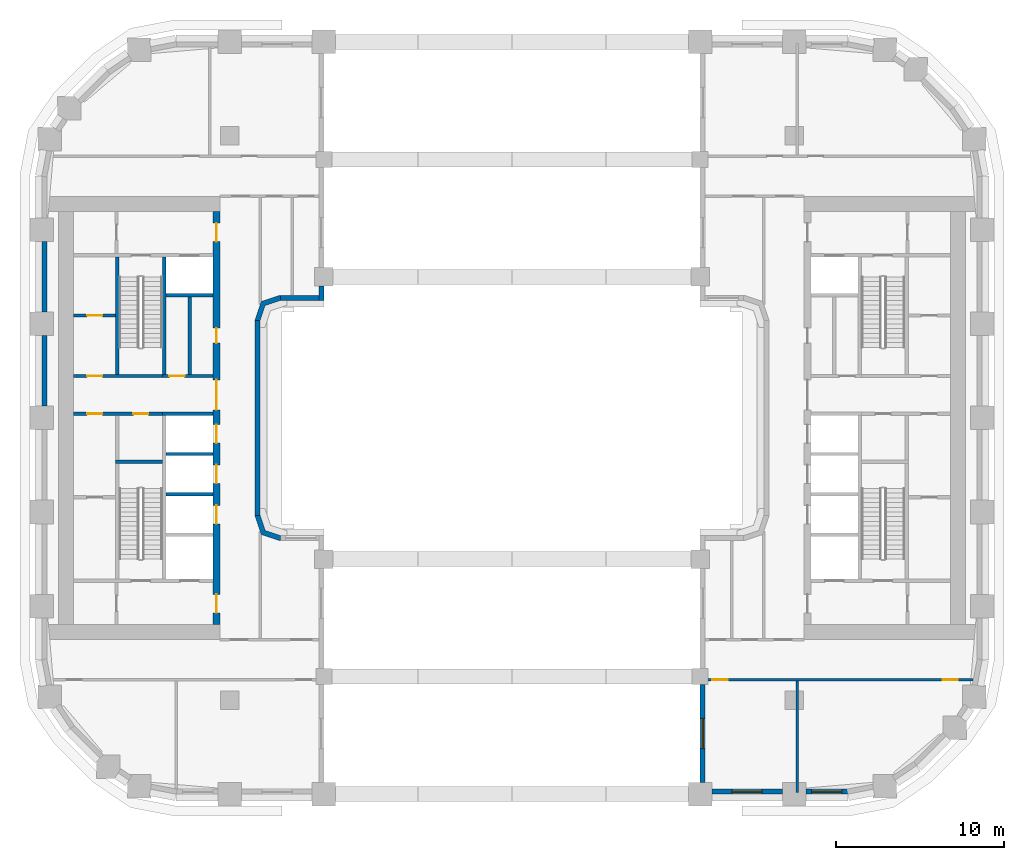
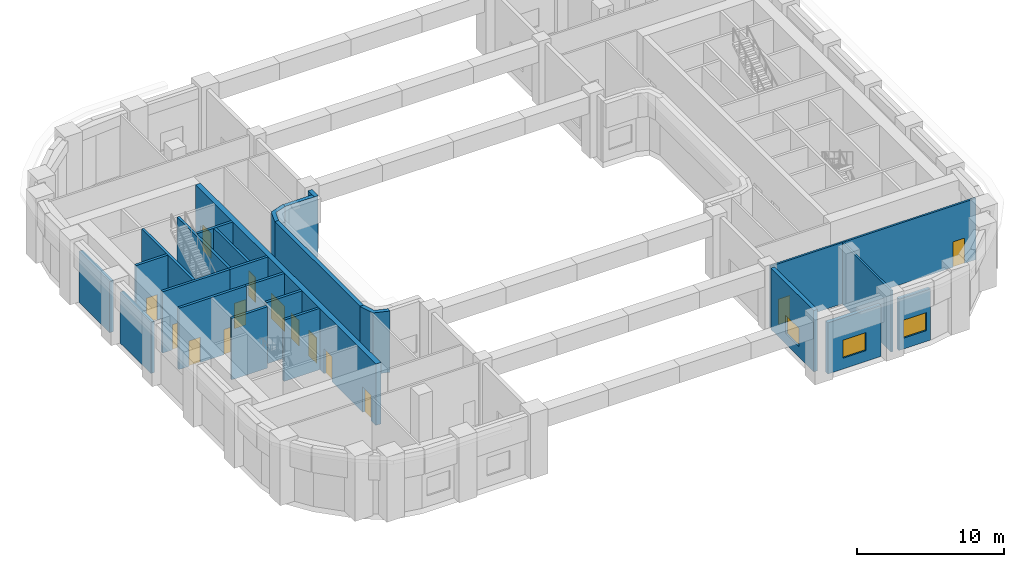
# One storey, part 3 of 14: 25 walls, 14 doors, 3 windows, 17 openings.
"""IFC4 building model written with IfcOpenShell, lengths in metres."""

import ifcopenshell
import ifcopenshell.guid

model = None  # the IFC model being written
_history = None  # IfcOwnerHistory: only IFC2X3 demands one
_inside = {}  # id of a spatial element -> (the spatial element, [elements in it])
_under = {}  # id of a project, library or spatial element -> (it, [spatial elements below it])
_declared = {}  # id of a project -> (the project, [libraries it declares])
_typed = {}  # id of a type object -> (the type object, [elements of that type])
_made_of = {}  # id of a material, layer set ... -> (it, [elements and type objects made of it])


def new_model(schema):
    """Start an empty IFC model of exactly this schema.

    Asked for "IFC4X3", IfcOpenShell would pick the latest addendum, in which some entities
    have other attributes; the version numbers below select the first issue.
    IFC2X3 requires an IfcOwnerHistory on every rooted entity: one is made here for all.
    """
    global model, _history
    if schema == "IFC4X3":
        model = ifcopenshell.file(schema_version=(4, 3, 0, 0))
    else:
        model = ifcopenshell.file(schema=schema)
    _inside.clear()
    _under.clear()
    _declared.clear()
    _typed.clear()
    _made_of.clear()
    _history = None
    if model.schema == "IFC2X3":
        org = make("IfcOrganization", Name="unknown")
        user = make(
            "IfcPersonAndOrganization",
            ThePerson=make("IfcPerson", FamilyName="unknown"),
            TheOrganization=org,
        )
        app = make(
            "IfcApplication",
            ApplicationDeveloper=org,
            Version="unknown",
            ApplicationFullName="unknown",
            ApplicationIdentifier="unknown",
        )
        _history = make(
            "IfcOwnerHistory",
            OwningUser=user,
            OwningApplication=app,
            ChangeAction="ADDED",
            CreationDate=0,
        )
    return model


def make(cls, **values):
    """One entity of the class cls with the attributes given. An attribute that is None is left unset."""
    return model.create_entity(
        cls, **{name: value for name, value in values.items() if value is not None}
    )


def rooted(cls, **values):
    """An entity with a GlobalId (a new one), such as an element, a storey or a relation."""
    return make(cls, GlobalId=ifcopenshell.guid.new(), OwnerHistory=_history, **values)


def si_unit(unit_type, name, prefix=None):
    """IfcSIUnit, for example si_unit("LENGTHUNIT", "METRE", prefix="MILLI")."""
    return make("IfcSIUnit", UnitType=unit_type, Prefix=prefix, Name=name)


def assignment(units):
    """IfcUnitAssignment: the units of a project."""
    return None if units is None else make("IfcUnitAssignment", Units=units)


def point(xyz):
    """IfcCartesianPoint."""
    return None if xyz is None else make("IfcCartesianPoint", Coordinates=xyz)


def direction(xyz):
    """IfcDirection."""
    return None if xyz is None else make("IfcDirection", DirectionRatios=xyz)


def frame(location, z_axis=None, x_axis=None):
    """IfcAxis2Placement3D, a coordinate frame: its origin and axes. An axis left out is left unset."""
    return make(
        "IfcAxis2Placement3D",
        Location=point(location),
        Axis=direction(z_axis),
        RefDirection=direction(x_axis),
    )


def frame_2d(location, x_axis=None):
    """IfcAxis2Placement2D, a coordinate frame in the plane: its origin and x axis."""
    return make(
        "IfcAxis2Placement2D", Location=point(location), RefDirection=direction(x_axis)
    )


def origin():
    """The frame at (0, 0, 0) with its axes left unset."""
    return frame((0.0, 0.0, 0.0))


def place(relative_to, where):
    """IfcLocalPlacement: puts the frame where relative to a parent placement (None: the world)."""
    return make(
        "IfcLocalPlacement", PlacementRelTo=relative_to, RelativePlacement=where
    )


def context(
    kind, dimensions, precision=None, world=None, true_north=None, identifier=None
):
    """IfcGeometricRepresentationContext, for example the 3D "Model" context."""
    return make(
        "IfcGeometricRepresentationContext",
        ContextIdentifier=identifier,
        ContextType=kind,
        CoordinateSpaceDimension=dimensions,
        Precision=precision,
        WorldCoordinateSystem=world,
        TrueNorth=true_north,
    )


def subcontext(parent, identifier, kind, view, scale=None):
    """IfcGeometricRepresentationSubContext, for example "Body" below "Model"."""
    return make(
        "IfcGeometricRepresentationSubContext",
        ContextIdentifier=identifier,
        ContextType=kind,
        ParentContext=parent,
        TargetScale=scale,
        TargetView=view,
    )


def project(units=None, contexts=None):
    """IfcProject with its units and contexts."""
    return rooted(
        "IfcProject",
        Name="project",
        RepresentationContexts=contexts,
        UnitsInContext=assignment(units),
    )


def spatial(cls, under=None, at=None, **own):
    """A site, building, storey or space (cls), placed at a placement, below another one or the project."""
    s = rooted(cls, ObjectPlacement=at, **own)
    if under is not None:
        _under.setdefault(under.id(), (under, []))[1].append(s)
    return s


def polyline(points):
    """IfcPolyline through the points."""
    return make("IfcPolyline", Points=[point(p) for p in points])


def profile(cls, at=None, kind="AREA", **sizes):
    """A parametric profile (cls). Its sizes go by their IFC names, for example OverallWidth=200.0."""
    return make(cls, ProfileType=kind, Position=at, **sizes)


def rectangle(**sizes):
    """IfcRectangleProfileDef."""
    return profile("IfcRectangleProfileDef", **sizes)


def outline(outer, holes=None, kind="AREA"):
    """IfcArbitraryClosedProfileDef: a profile drawn as a closed curve; with holes, ...WithVoids."""
    if holes is None:
        return make("IfcArbitraryClosedProfileDef", ProfileType=kind, OuterCurve=outer)
    return make(
        "IfcArbitraryProfileDefWithVoids",
        ProfileType=kind,
        OuterCurve=outer,
        InnerCurves=holes,
    )


def extrude(swept, where, along, depth):
    """IfcExtrudedAreaSolid: the profile swept, set in the frame where, extruded along a direction by depth."""
    return make(
        "IfcExtrudedAreaSolid",
        SweptArea=swept,
        Position=where,
        ExtrudedDirection=direction(along),
        Depth=depth,
    )


def shape(context_of_items, identifier, shape_type, items):
    """IfcShapeRepresentation: the items that make up one representation, for example the "Body"."""
    return make(
        "IfcShapeRepresentation",
        ContextOfItems=context_of_items,
        RepresentationIdentifier=identifier,
        RepresentationType=shape_type,
        Items=items,
    )


def material(Name=None, Category=None):
    """IfcMaterial."""
    return make("IfcMaterial", Name=Name, Category=Category)


def layer(
    of_material, thickness, ventilated=None, Name=None, Category=None, Priority=None
):
    """IfcMaterialLayer: one layer of a wall or slab, of a material (None: an air gap)."""
    return make(
        "IfcMaterialLayer",
        Material=of_material,
        LayerThickness=thickness,
        IsVentilated=ventilated,
        Name=Name,
        Category=Category,
        Priority=Priority,
    )


def layer_set(layers, Name=None):
    """IfcMaterialLayerSet."""
    return make("IfcMaterialLayerSet", MaterialLayers=layers, LayerSetName=Name)


def made_of(thing, what):
    """Note that an element or type object is made of a material, layer set ...; save() writes the relation."""
    if what is not None:
        _made_of.setdefault(what.id(), (what, []))[1].append(thing)
    return thing


def type_object(cls, material=None, **own):
    """A type object (cls), such as IfcWallType, which elements share."""
    return made_of(rooted(cls, **own), material)


def element(
    cls,
    number,
    at=None,
    inside=None,
    cuts=None,
    type_object=None,
    material=None,
    context=None,
    identifier="Body",
    shape_type=None,
    held_by="IfcProductDefinitionShape",
    body=None,
    shapes=None,
    **own,
):
    """One element of the class cls, such as IfcWall. Its Tag is "e" and its number.

    at: its placement. inside: the storey or other place that contains it. cuts: it is an
    opening in that element (IfcRelVoidsElement). A single representation is given by context,
    identifier, shape_type and body (its items); several are given by shapes. held_by: the class
    of the entity that holds the representations. save() writes the other relations.
    """
    e = rooted(cls, Tag="e%d" % number, ObjectPlacement=at, **own)
    if body is not None:
        shapes = [shape(context, identifier, shape_type, body)]
    if shapes is not None:
        e.Representation = make(held_by, Representations=shapes)
    if inside is not None:
        _inside.setdefault(inside.id(), (inside, []))[1].append(e)
    if cuts is not None:
        rooted(
            "IfcRelVoidsElement", RelatingBuildingElement=cuts, RelatedOpeningElement=e
        )
    if type_object is not None:
        _typed.setdefault(type_object.id(), (type_object, []))[1].append(e)
    return made_of(e, material)


def fill(opening, filler):
    """IfcRelFillsElement: the door or window that sits in an opening."""
    return rooted(
        "IfcRelFillsElement",
        RelatingOpeningElement=opening,
        RelatedBuildingElement=filler,
    )


def aggregate(whole, parts):
    """IfcRelAggregates: a whole, such as a stair, and the parts it consists of."""
    return rooted("IfcRelAggregates", RelatingObject=whole, RelatedObjects=parts)


def save(model, path):
    """Write the relations noted so far, then the file.

    IfcRelAggregates (storeys below a building ...), IfcRelContainedInSpatialStructure (elements
    in a storey), IfcRelDefinesByType, IfcRelAssociatesMaterial and IfcRelDeclares: one each for
    every whole, place, type object, material and project.
    """
    for whole, parts in _under.values():
        aggregate(whole, parts)
    for where, things in _inside.values():
        rooted(
            "IfcRelContainedInSpatialStructure",
            RelatedElements=things,
            RelatingStructure=where,
        )
    for kind, things in _typed.values():
        rooted("IfcRelDefinesByType", RelatedObjects=things, RelatingType=kind)
    for what, things in _made_of.values():
        rooted("IfcRelAssociatesMaterial", RelatedObjects=things, RelatingMaterial=what)
    for by, libraries in _declared.values():
        rooted("IfcRelDeclares", RelatingContext=by, RelatedDefinitions=libraries)
    model.write(path)


model = new_model("IFC4")

# Units and contexts
model_context = context("Model", 3, precision=1e-05, world=origin(), true_north=direction((0.0, 1.0)))
body_context = subcontext(model_context, "Body", "Model", "MODEL_VIEW")
ifc_project = project(units=[si_unit("LENGTHUNIT", "METRE"), si_unit("AREAUNIT", "SQUARE_METRE"), si_unit("VOLUMEUNIT", "CUBIC_METRE"), si_unit("PLANEANGLEUNIT", "RADIAN"), si_unit("MASSUNIT", "GRAM", prefix="KILO")], contexts=[model_context])

# Site, building, storey
site_placement = place(None, origin())
site = spatial("IfcSite", under=ifc_project, at=site_placement, CompositionType="ELEMENT")
building_placement = place(site_placement, origin())
building = spatial("IfcBuilding", under=site, at=building_placement, Name="Kiln Ring Residences", CompositionType="ELEMENT")
storey_placement = place(building_placement, frame((0.0, 0.0, 77.89990234375)))
storey = spatial("IfcBuildingStorey", under=building, at=storey_placement, Name="L19", CompositionType="ELEMENT", Elevation=77.89990234375)

# Wall, openings, doors
ifc_material_1 = material(Name="Gypsum board on steel studs", Category="steel")
ifc_layer_1 = layer(ifc_material_1, 0.199951171875)
ifc_layer_set_1 = layer_set([ifc_layer_1], Name="CORE-PARTITION-200")
wall_type_1 = type_object("IfcWallType", Name="CORE-PARTITION-200", PredefinedType="PARTITIONING", material=ifc_layer_set_1)
wall_1_placement = place(storey_placement, frame((-20.800048828125, 0.25, 0.0), z_axis=(0.0, 0.0, 1.0), x_axis=(-1.0, 0.0, 0.0)))
wall_1 = element("IfcWall", 1, at=wall_1_placement, inside=storey, type_object=wall_type_1, Name="Core partition west L19 2", PredefinedType="PARTITIONING", context=body_context, shape_type="SweptSolid", body=[
    extrude(rectangle(XDim=5.300048828125, YDim=0.199951171875, at=frame_2d((2.64990234375, 0.0))), origin(), (0.0, 0.0, 1.0), 5.10009765625),
])
opening_1_placement = place(wall_1_placement, frame((0.85009765625, 0.0, 0.0)))
opening_1 = element("IfcOpeningElement", 2, at=opening_1_placement, cuts=wall_1, Name="Opening L19-CW15", PredefinedType="OPENING", context=body_context, shape_type="SweptSolid", body=[
    extrude(rectangle(XDim=0.89990234375, YDim=2.10009765625, at=frame_2d((0.449951171875, 1.050048828125))), frame((0.0, 0.10986328125, 0.0), z_axis=(0.0, -1.0, 0.0), x_axis=(1.0, 0.0, 0.0)), (0.0, 0.0, 1.0), 0.219970703125),
])
opening_2_placement = place(wall_1_placement, frame((3.60009765625, 0.0, 0.0)))
opening_2 = element("IfcOpeningElement", 3, at=opening_2_placement, cuts=wall_1, Name="Opening L19-CW17", PredefinedType="OPENING", context=body_context, shape_type="SweptSolid", body=[
    extrude(rectangle(XDim=0.89990234375, YDim=2.10009765625, at=frame_2d((0.449951171875, 1.050048828125))), frame((0.0, 0.10986328125, 0.0), z_axis=(0.0, -1.0, 0.0), x_axis=(1.0, 0.0, 0.0)), (0.0, 0.0, 1.0), 0.219970703125),
])
ifc_material_2 = material(Name="Steel door leaf", Category="steel")
door_type_1 = type_object("IfcDoorType", Name="CORE-DOOR-ROOM", OperationType="SINGLE_SWING_LEFT", PredefinedType="DOOR", material=ifc_material_2)
door_1_placement = place(opening_1_placement, origin())
door_1 = element("IfcDoor", 4, at=door_1_placement, inside=storey, type_object=door_type_1, Name="Comms room L19-CW15", OperationType="SINGLE_SWING_LEFT", OverallHeight=2.10009765625, OverallWidth=0.89990234375, PredefinedType="DOOR", context=body_context, shape_type="SweptSolid", body=[
    extrude(rectangle(XDim=0.89990234375, YDim=2.10009765625, at=frame_2d((0.449951171875, 1.050048828125))), frame((0.0, 0.02490234375, 0.0), z_axis=(0.0, -1.0, 0.0), x_axis=(1.0, 0.0, 0.0)), (0.0, 0.0, 1.0), 0.050048828125),
])
fill(opening_1, door_1)
door_2_placement = place(opening_2_placement, origin())
door_2 = element("IfcDoor", 5, at=door_2_placement, inside=storey, type_object=door_type_1, Name="Meter room L19-CW17", OperationType="SINGLE_SWING_LEFT", OverallHeight=2.10009765625, OverallWidth=0.89990234375, PredefinedType="DOOR", context=body_context, shape_type="SweptSolid", body=[
    extrude(rectangle(XDim=0.89990234375, YDim=2.10009765625, at=frame_2d((0.449951171875, 1.050048828125))), frame((0.0, 0.02490234375, 0.0), z_axis=(0.0, -1.0, 0.0), x_axis=(1.0, 0.0, 0.0)), (0.0, 0.0, 1.0), 0.050048828125),
])
fill(opening_2, door_2)

# Wall
wall_2_placement = place(storey_placement, frame((-19.199951171875, 2.60009765625, 0.0), z_axis=(0.0, 0.0, 1.0), x_axis=(0.0, 1.0, 0.0)))
element("IfcWall", 6, at=wall_2_placement, inside=storey, type_object=wall_type_1, Name="Core partition west L19 3", PredefinedType="PARTITIONING", context=body_context, shape_type="SweptSolid", body=[
    extrude(rectangle(XDim=4.599853515625, YDim=0.199951171875, at=frame_2d((2.2998046875, 0.0))), origin(), (0.0, 0.0, 1.0), 5.10009765625),
])

# Wall, opening, door
wall_3_placement = place(storey_placement, frame((-23.60009765625, 6.10009765625, 0.0), z_axis=(0.0, 0.0, 1.0), x_axis=(-1.0, 0.0, 0.0)))
wall_3 = element("IfcWall", 7, at=wall_3_placement, inside=storey, type_object=wall_type_1, Name="Core partition west L19 7", PredefinedType="PARTITIONING", context=body_context, shape_type="SweptSolid", body=[
    extrude(rectangle(XDim=2.5, YDim=0.199951171875, at=frame_2d((1.25, 0.0))), origin(), (0.0, 0.0, 1.0), 5.10009765625),
])
opening_3_placement = place(wall_3_placement, frame((0.800048828125, 0.0, 0.0)))
opening_3 = element("IfcOpeningElement", 8, at=opening_3_placement, cuts=wall_3, Name="Opening L19-CW18", PredefinedType="OPENING", context=body_context, shape_type="SweptSolid", body=[
    extrude(rectangle(XDim=0.89990234375, YDim=2.10009765625, at=frame_2d((0.449951171875, 1.050048828125))), frame((0.0, 0.10986328125, 0.0), z_axis=(0.0, -1.0, 0.0), x_axis=(1.0, 0.0, 0.0)), (0.0, 0.0, 1.0), 0.219970703125),
])
door_3_placement = place(opening_3_placement, origin())
door_3 = element("IfcDoor", 9, at=door_3_placement, inside=storey, type_object=door_type_1, Name="Comms room L19-CW18", OperationType="SINGLE_SWING_LEFT", OverallHeight=2.10009765625, OverallWidth=0.89990234375, PredefinedType="DOOR", context=body_context, shape_type="SweptSolid", body=[
    extrude(rectangle(XDim=0.89990234375, YDim=2.10009765625, at=frame_2d((0.449951171875, 1.050048828125))), frame((0.0, 0.02490234375, 0.0), z_axis=(0.0, -1.0, 0.0), x_axis=(1.0, 0.0, 0.0)), (0.0, 0.0, 1.0), 0.050048828125),
])
fill(opening_3, door_3)

# Walls
ifc_material_3 = material(Name="Gypsum shaft wall system")
ifc_layer_2 = layer(ifc_material_3, 0.199951171875)
ifc_layer_set_2 = layer_set([ifc_layer_2], Name="CORE-SHAFT-WALL-200")
wall_type_2 = type_object("IfcWallType", Name="CORE-SHAFT-WALL-200", PredefinedType="PARTITIONING", material=ifc_layer_set_2)
for number, where, z_axis, x_axis, name in (
    (10, (-17.800048828125, -4.550048828125, 0.0), (0.0, 0.0, 1.0), (-1.0, 0.0, 0.0), "Core partition west L19 9"),
    (11, (-17.800048828125, -2.14990234375, 0.0), (0.0, 0.0, 1.0), (-1.0, 0.0, 0.0), "Core partition west L19 10"),
):
    element("IfcWall", number, at=place(storey_placement, frame(where, z_axis=z_axis, x_axis=x_axis)), inside=storey, type_object=wall_type_2, Name=name, PredefinedType="PARTITIONING", context=body_context, shape_type="SweptSolid", body=[
        extrude(rectangle(XDim=2.800048828125, YDim=0.199951171875, at=frame_2d((1.39990234375, 0.0))), origin(), (0.0, 0.0, 1.0), 5.10009765625),
    ])
wall_4_placement = place(storey_placement, frame((-17.800048828125, 0.25, 0.0), z_axis=(0.0, 0.0, 1.0), x_axis=(-1.0, 0.0, 0.0)))
element("IfcWall", 12, at=wall_4_placement, inside=storey, type_object=wall_type_2, Name="Core partition west L19 11", PredefinedType="PARTITIONING", context=body_context, shape_type="SweptSolid", body=[
    extrude(rectangle(XDim=3.0, YDim=0.199951171875, at=frame_2d((1.5, 0.0))), origin(), (0.0, 0.0, 1.0), 5.10009765625),
])

# Wall, opening, door
wall_5_placement = place(storey_placement, frame((-17.800048828125, 2.5, 0.0), z_axis=(0.0, 0.0, 1.0), x_axis=(-1.0, 0.0, 0.0)))
wall_5 = element("IfcWall", 13, at=wall_5_placement, inside=storey, type_object=wall_type_2, Name="Core partition west L19 12", PredefinedType="PARTITIONING", context=body_context, shape_type="SweptSolid", body=[
    extrude(rectangle(XDim=3.0, YDim=0.199951171875, at=frame_2d((1.5, 0.0))), origin(), (0.0, 0.0, 1.0), 5.10009765625),
])
opening_4_placement = place(wall_5_placement, frame((1.699951171875, 0.0, 0.0)))
opening_4 = element("IfcOpeningElement", 14, at=opening_4_placement, cuts=wall_5, Name="Opening L19-CW06", PredefinedType="OPENING", context=body_context, shape_type="SweptSolid", body=[
    extrude(rectangle(XDim=0.89990234375, YDim=2.10009765625, at=frame_2d((0.449951171875, 1.050048828125))), frame((0.0, 0.10986328125, 0.0), z_axis=(0.0, -1.0, 0.0), x_axis=(1.0, 0.0, 0.0)), (0.0, 0.0, 1.0), 0.219970703125),
])
door_4_placement = place(opening_4_placement, origin())
door_4 = element("IfcDoor", 15, at=door_4_placement, inside=storey, type_object=door_type_1, Name="Linen store L19-CW06", OperationType="SINGLE_SWING_LEFT", OverallHeight=2.10009765625, OverallWidth=0.89990234375, PredefinedType="DOOR", context=body_context, shape_type="SweptSolid", body=[
    extrude(rectangle(XDim=0.89990234375, YDim=2.10009765625, at=frame_2d((0.449951171875, 1.050048828125))), frame((0.0, 0.02490234375, 0.0), z_axis=(0.0, -1.0, 0.0), x_axis=(1.0, 0.0, 0.0)), (0.0, 0.0, 1.0), 0.050048828125),
])
fill(opening_4, door_4)

# Walls
wall_6_placement = place(storey_placement, frame((-17.800048828125, 7.300048828125, 0.0), z_axis=(0.0, 0.0, 1.0), x_axis=(-1.0, 0.0, 0.0)))
element("IfcWall", 16, at=wall_6_placement, inside=storey, type_object=wall_type_2, Name="Core partition west L19 13", PredefinedType="PARTITIONING", context=body_context, shape_type="SweptSolid", body=[
    extrude(rectangle(XDim=2.800048828125, YDim=0.199951171875, at=frame_2d((1.39990234375, 0.0))), origin(), (0.0, 0.0, 1.0), 5.10009765625),
])
ifc_material_4 = material(Name="Concrete C40/50", Category="concrete")
ifc_layer_3 = layer(ifc_material_4, 0.199951171875)
ifc_layer_set_3 = layer_set([ifc_layer_3], Name="CORE-WALL-RC200")
wall_type_3 = type_object("IfcWallType", Name="CORE-WALL-RC200", PredefinedType="SHEAR", material=ifc_layer_set_3)
wall_7_placement = place(storey_placement, frame((-20.699951171875, 2.60009765625, 0.0), z_axis=(0.0, 0.0, 1.0), x_axis=(0.0, 1.0, 0.0)))
element("IfcWall", 17, at=wall_7_placement, inside=storey, type_object=wall_type_3, Name="Core wall west L19 1", PredefinedType="SHEAR", context=body_context, shape_type="SweptSolid", body=[
    extrude(rectangle(XDim=7.0, YDim=0.199951171875, at=frame_2d((3.5, 0.0))), origin(), (0.0, 0.0, 1.0), 5.10009765625),
])

# Wall, opening, door
wall_8_placement = place(storey_placement, frame((-20.800048828125, 2.5, 0.0), z_axis=(0.0, 0.0, 1.0), x_axis=(-1.0, 0.0, 0.0)))
wall_8 = element("IfcWall", 18, at=wall_8_placement, inside=storey, type_object=wall_type_3, Name="Core wall west L19 3", PredefinedType="SHEAR", context=body_context, shape_type="SweptSolid", body=[
    extrude(rectangle(XDim=5.300048828125, YDim=0.199951171875, at=frame_2d((2.64990234375, 0.0))), origin(), (0.0, 0.0, 1.0), 5.10009765625),
])
opening_5_placement = place(wall_8_placement, frame((3.60009765625, 0.0, 0.0)))
opening_5 = element("IfcOpeningElement", 19, at=opening_5_placement, cuts=wall_8, Name="Opening L19-CW19", PredefinedType="OPENING", context=body_context, shape_type="SweptSolid", body=[
    extrude(rectangle(XDim=0.89990234375, YDim=2.10009765625, at=frame_2d((0.449951171875, 1.050048828125))), frame((0.0, 0.10986328125, 0.0), z_axis=(0.0, -1.0, 0.0), x_axis=(1.0, 0.0, 0.0)), (0.0, 0.0, 1.0), 0.219970703125),
])
door_5_placement = place(opening_5_placement, origin())
door_5 = element("IfcDoor", 20, at=door_5_placement, inside=storey, type_object=door_type_1, Name="Electrical plant room L19-CW19", OperationType="SINGLE_SWING_RIGHT", OverallHeight=2.10009765625, OverallWidth=0.89990234375, PredefinedType="DOOR", context=body_context, shape_type="SweptSolid", body=[
    extrude(rectangle(XDim=0.89990234375, YDim=2.10009765625, at=frame_2d((0.449951171875, 1.050048828125))), frame((0.0, 0.02490234375, 0.0), z_axis=(0.0, -1.0, 0.0), x_axis=(1.0, 0.0, 0.0)), (0.0, 0.0, 1.0), 0.050048828125),
])
fill(opening_5, door_5)

# Walls
wall_9_placement = place(storey_placement, frame((-23.5, 2.60009765625, 0.0), z_axis=(0.0, 0.0, 1.0), x_axis=(0.0, 1.0, 0.0)))
element("IfcWall", 21, at=wall_9_placement, inside=storey, type_object=wall_type_3, Name="Core wall west L19 10", PredefinedType="SHEAR", context=body_context, shape_type="SweptSolid", body=[
    extrude(rectangle(XDim=7.0, YDim=0.199951171875, at=frame_2d((3.5, 0.0))), origin(), (0.0, 0.0, 1.0), 5.10009765625),
])
wall_10_placement = place(storey_placement, frame((-20.800048828125, -2.60009765625, 0.0), z_axis=(0.0, 0.0, 1.0), x_axis=(-1.0, 0.0, 0.0)))
element("IfcWall", 22, at=wall_10_placement, inside=storey, type_object=wall_type_3, Name="Core wall west L19 12", PredefinedType="SHEAR", context=body_context, shape_type="SweptSolid", body=[
    extrude(rectangle(XDim=2.800048828125, YDim=0.199951171875, at=frame_2d((1.39990234375, 0.0))), origin(), (0.0, 0.0, 1.0), 5.10009765625),
])

# Wall, openings, doors
ifc_material_5 = material(Name="Concrete C60/75", Category="concrete")
ifc_layer_4 = layer(ifc_material_5, 0.39990234375)
ifc_layer_set_4 = layer_set([ifc_layer_4], Name="CORE-WALL-RC400")
wall_type_4 = type_object("IfcWallType", Name="CORE-WALL-RC400", PredefinedType="SHEAR", material=ifc_layer_set_4)
wall_11_placement = place(storey_placement, frame((-17.60009765625, -12.300048828125, 0.0), z_axis=(0.0, 0.0, 1.0), x_axis=(0.0, 1.0, 0.0)))
wall_11 = element("IfcWall", 23, at=wall_11_placement, inside=storey, type_object=wall_type_4, Name="Core wall west L19 6", PredefinedType="SHEAR", context=body_context, shape_type="SweptSolid", body=[
    extrude(rectangle(XDim=24.60009765625, YDim=0.39990234375, at=frame_2d((12.300048828125, 0.0))), origin(), (0.0, 0.0, 1.0), 5.10009765625),
])
opening_6_placement = place(wall_11_placement, frame((6.0, 0.0, 0.0)))
opening_6 = element("IfcOpeningElement", 24, at=opening_6_placement, cuts=wall_11, Name="Opening L19-CW02", PredefinedType="OPENING", context=body_context, shape_type="SweptSolid", body=[
    extrude(rectangle(XDim=1.10009765625, YDim=2.10009765625, at=frame_2d((0.550048828125, 1.050048828125))), frame((0.0, 0.2099609375, 0.0), z_axis=(0.0, -1.0, 0.0), x_axis=(1.0, 0.0, 0.0)), (0.0, 0.0, 1.0), 0.419921875),
])
opening_7_placement = place(wall_11_placement, frame((8.39990234375, 0.0, 0.0)))
opening_7 = element("IfcOpeningElement", 25, at=opening_7_placement, cuts=wall_11, Name="Opening L19-CW03", PredefinedType="OPENING", context=body_context, shape_type="SweptSolid", body=[
    extrude(rectangle(XDim=1.10009765625, YDim=2.10009765625, at=frame_2d((0.550048828125, 1.050048828125))), frame((0.0, 0.2099609375, 0.0), z_axis=(0.0, -1.0, 0.0), x_axis=(1.0, 0.0, 0.0)), (0.0, 0.0, 1.0), 0.419921875),
])
opening_8_placement = place(wall_11_placement, frame((10.800048828125, 0.0, 0.0)))
opening_8 = element("IfcOpeningElement", 26, at=opening_8_placement, cuts=wall_11, Name="Opening L19-CW04", PredefinedType="OPENING", context=body_context, shape_type="SweptSolid", body=[
    extrude(rectangle(XDim=1.10009765625, YDim=2.10009765625, at=frame_2d((0.550048828125, 1.050048828125))), frame((0.0, 0.2099609375, 0.0), z_axis=(0.0, -1.0, 0.0), x_axis=(1.0, 0.0, 0.0)), (0.0, 0.0, 1.0), 0.419921875),
])
opening_9_placement = place(wall_11_placement, frame((16.75, 0.0, 0.0)))
opening_9 = element("IfcOpeningElement", 27, at=opening_9_placement, cuts=wall_11, Name="Opening L19-CW05", PredefinedType="OPENING", context=body_context, shape_type="SweptSolid", body=[
    extrude(rectangle(XDim=0.89990234375, YDim=2.10009765625, at=frame_2d((0.449951171875, 1.050048828125))), frame((0.0, 0.2099609375, 0.0), z_axis=(0.0, -1.0, 0.0), x_axis=(1.0, 0.0, 0.0)), (0.0, 0.0, 1.0), 0.419921875),
])
opening_10_placement = place(wall_11_placement, frame((22.800048828125, 0.0, 0.0)))
opening_10 = element("IfcOpeningElement", 28, at=opening_10_placement, cuts=wall_11, Name="Opening L19-CW08", PredefinedType="OPENING", context=body_context, shape_type="SweptSolid", body=[
    extrude(rectangle(XDim=1.10009765625, YDim=2.10009765625, at=frame_2d((0.550048828125, 1.050048828125))), frame((0.0, 0.2099609375, 0.0), z_axis=(0.0, -1.0, 0.0), x_axis=(1.0, 0.0, 0.0)), (0.0, 0.0, 1.0), 0.419921875),
])
opening_11_placement = place(wall_11_placement, frame((0.699951171875, 0.0, 0.0)))
opening_11 = element("IfcOpeningElement", 29, at=opening_11_placement, cuts=wall_11, Name="Opening L19-CW09", PredefinedType="OPENING", context=body_context, shape_type="SweptSolid", body=[
    extrude(rectangle(XDim=1.10009765625, YDim=2.10009765625, at=frame_2d((0.550048828125, 1.050048828125))), frame((0.0, 0.2099609375, 0.0), z_axis=(0.0, -1.0, 0.0), x_axis=(1.0, 0.0, 0.0)), (0.0, 0.0, 1.0), 0.419921875),
])
opening_12_placement = place(wall_11_placement, frame((12.77490234375, 0.0, 0.0)))
opening_12 = element("IfcOpeningElement", 30, at=opening_12_placement, cuts=wall_11, Name="Opening L19-CW14", PredefinedType="OPENING", context=body_context, shape_type="SweptSolid", body=[
    extrude(rectangle(XDim=1.800048828125, YDim=2.10009765625, at=frame_2d((0.89990234375, 1.050048828125))), frame((0.0, 0.2099609375, 0.0), z_axis=(0.0, -1.0, 0.0), x_axis=(1.0, 0.0, 0.0)), (0.0, 0.0, 1.0), 0.419921875),
])
ifc_material_6 = material(Name="Steel door leaf", Category="steel")
door_type_2 = type_object("IfcDoorType", Name="CORE-DOOR-LD", OperationType="DOUBLE_DOOR_SLIDING", PredefinedType="DOOR", material=ifc_material_6)
door_6_placement = place(opening_6_placement, origin())
door_6 = element("IfcDoor", 31, at=door_6_placement, inside=storey, type_object=door_type_2, Name="LD W-L1 L19-CW02", OperationType="DOUBLE_DOOR_SLIDING", OverallHeight=2.10009765625, OverallWidth=1.10009765625, PredefinedType="DOOR", context=body_context, shape_type="SweptSolid", body=[
    extrude(rectangle(XDim=1.10009765625, YDim=2.10009765625, at=frame_2d((0.550048828125, 1.050048828125))), frame((0.0, 0.02490234375, 0.0), z_axis=(0.0, -1.0, 0.0), x_axis=(1.0, 0.0, 0.0)), (0.0, 0.0, 1.0), 0.050048828125),
])
fill(opening_6, door_6)
door_7_placement = place(opening_7_placement, origin())
door_7 = element("IfcDoor", 32, at=door_7_placement, inside=storey, type_object=door_type_2, Name="LD W-L2 L19-CW03", OperationType="DOUBLE_DOOR_SLIDING", OverallHeight=2.10009765625, OverallWidth=1.10009765625, PredefinedType="DOOR", context=body_context, shape_type="SweptSolid", body=[
    extrude(rectangle(XDim=1.10009765625, YDim=2.10009765625, at=frame_2d((0.550048828125, 1.050048828125))), frame((0.0, 0.02490234375, 0.0), z_axis=(0.0, -1.0, 0.0), x_axis=(1.0, 0.0, 0.0)), (0.0, 0.0, 1.0), 0.050048828125),
])
fill(opening_7, door_7)
door_8_placement = place(opening_8_placement, origin())
door_8 = element("IfcDoor", 33, at=door_8_placement, inside=storey, type_object=door_type_2, Name="LD W-L3 L19-CW04", OperationType="DOUBLE_DOOR_SLIDING", OverallHeight=2.10009765625, OverallWidth=1.10009765625, PredefinedType="DOOR", context=body_context, shape_type="SweptSolid", body=[
    extrude(rectangle(XDim=1.10009765625, YDim=2.10009765625, at=frame_2d((0.550048828125, 1.050048828125))), frame((0.0, 0.02490234375, 0.0), z_axis=(0.0, -1.0, 0.0), x_axis=(1.0, 0.0, 0.0)), (0.0, 0.0, 1.0), 0.050048828125),
])
fill(opening_8, door_8)
ifc_material_7 = material(Name="Steel door leaf", Category="steel")
door_type_3 = type_object("IfcDoorType", Name="CORE-DOOR-LOBBY", OperationType="SINGLE_SWING_LEFT", PredefinedType="DOOR", material=ifc_material_7)
door_9_placement = place(opening_10_placement, origin())
door_9 = element("IfcDoor", 34, at=door_9_placement, inside=storey, type_object=door_type_3, Name="FFL L19-CW08", OperationType="SINGLE_SWING_LEFT", OverallHeight=2.10009765625, OverallWidth=1.10009765625, PredefinedType="DOOR", context=body_context, shape_type="SweptSolid", body=[
    extrude(rectangle(XDim=1.10009765625, YDim=2.10009765625, at=frame_2d((0.550048828125, 1.050048828125))), frame((0.0, 0.02490234375, 0.0), z_axis=(0.0, -1.0, 0.0), x_axis=(1.0, 0.0, 0.0)), (0.0, 0.0, 1.0), 0.050048828125),
])
fill(opening_10, door_9)
door_10_placement = place(opening_11_placement, origin())
door_10 = element("IfcDoor", 35, at=door_10_placement, inside=storey, type_object=door_type_3, Name="SVL L19-CW09", OperationType="SINGLE_SWING_RIGHT", OverallHeight=2.10009765625, OverallWidth=1.10009765625, PredefinedType="DOOR", context=body_context, shape_type="SweptSolid", body=[
    extrude(rectangle(XDim=1.10009765625, YDim=2.10009765625, at=frame_2d((0.550048828125, 1.050048828125))), frame((0.0, 0.02490234375, 0.0), z_axis=(0.0, -1.0, 0.0), x_axis=(1.0, 0.0, 0.0)), (0.0, 0.0, 1.0), 0.050048828125),
])
fill(opening_11, door_10)
ifc_material_8 = material(Name="Steel door leaf", Category="steel")
door_type_4 = type_object("IfcDoorType", Name="CORE-DOOR-PASS", OperationType="DOUBLE_DOOR_SINGLE_SWING", PredefinedType="DOOR", material=ifc_material_8)
door_11_placement = place(opening_12_placement, origin())
door_11 = element("IfcDoor", 36, at=door_11_placement, inside=storey, type_object=door_type_4, Name="Core passage L19-CW14", OperationType="DOUBLE_DOOR_SINGLE_SWING", OverallHeight=2.10009765625, OverallWidth=1.800048828125, PredefinedType="DOOR", context=body_context, shape_type="SweptSolid", body=[
    extrude(rectangle(XDim=1.800048828125, YDim=2.10009765625, at=frame_2d((0.89990234375, 1.050048828125))), frame((0.0, 0.02490234375, 0.0), z_axis=(0.0, -1.0, 0.0), x_axis=(1.0, 0.0, 0.0)), (0.0, 0.0, 1.0), 0.050048828125),
])
fill(opening_12, door_11)
door_12_placement = place(opening_9_placement, origin())
door_12 = element("IfcDoor", 37, at=door_12_placement, inside=storey, type_object=door_type_1, Name="Janitor's store L19-CW05", OperationType="SINGLE_SWING_LEFT", OverallHeight=2.10009765625, OverallWidth=0.89990234375, PredefinedType="DOOR", context=body_context, shape_type="SweptSolid", body=[
    extrude(rectangle(XDim=0.89990234375, YDim=2.10009765625, at=frame_2d((0.449951171875, 1.050048828125))), frame((0.0, 0.02490234375, 0.0), z_axis=(0.0, -1.0, 0.0), x_axis=(1.0, 0.0, 0.0)), (0.0, 0.0, 1.0), 0.050048828125),
])
fill(opening_9, door_12)

# Walls
ifc_material_9 = material(Name="Brick masonry, dark clay brick", Category="masonry")
ifc_layer_5 = layer(ifc_material_9, 0.300048828125)
ifc_layer_set_5 = layer_set([ifc_layer_5], Name="EW-300 BRICK WALL")
wall_type_5 = type_object("IfcWallType", Name="EW-300 BRICK WALL", PredefinedType="SOLIDWALL", material=ifc_layer_set_5)
wall_12_placement = place(storey_placement, frame((-15.14990234375, -5.800048828125, 0.0), z_axis=(0.0, 0.0, 1.0), x_axis=(0.0, 1.0, 0.0)))
element("IfcWall", 38, at=wall_12_placement, inside=storey, type_object=wall_type_5, Name="Facade wall L19 12", PredefinedType="SOLIDWALL", context=body_context, shape_type="SweptSolid", body=[
    extrude(rectangle(XDim=11.60009765625, YDim=0.300048828125, at=frame_2d((5.800048828125, 0.0))), origin(), (0.0, 0.0, 1.0), 5.10009765625),
])
wall_13_placement = place(storey_placement, frame((-13.800048828125, 7.14990234375, 0.0), z_axis=(0.0, 0.0, 1.0), x_axis=(1.0, 0.0, 0.0)))
element("IfcWall", 39, at=wall_13_placement, inside=storey, type_object=wall_type_5, Name="Facade wall L19 13", PredefinedType="SOLIDWALL", context=body_context, shape_type="SweptSolid", body=[
    extrude(rectangle(XDim=2.60009765625, YDim=0.300048828125, at=frame_2d((1.300048828125, 0.0))), origin(), (0.0, 0.0, 1.0), 5.10009765625),
])
wall_14_placement = place(storey_placement, frame((-11.35009765625, 7.0, 0.0), z_axis=(0.0, 0.0, 1.0), x_axis=(0.0, 1.0, 0.0)))
element("IfcWall", 40, at=wall_14_placement, inside=storey, type_object=wall_type_5, Name="Facade wall L19 14", PredefinedType="SOLIDWALL", context=body_context, shape_type="SweptSolid", body=[
    extrude(rectangle(XDim=0.85009765625, YDim=0.300048828125, at=frame_2d((0.425048828125, 0.0))), origin(), (0.0, 0.0, 1.0), 5.10009765625),
])
for number, where, z_axis, x_axis, name in (
    (41, (-27.85009765625, 10.5, 0.0), (0.0, 0.0, 1.0), (0.0, -1.0, 0.0), "Facade wall L19 25"),
    (42, (-27.85009765625, 4.89990234375, 0.0), (0.0, 0.0, 1.0), (0.0, -1.0, 0.0), "Facade wall L19 26"),
):
    element("IfcWall", number, at=place(storey_placement, frame(where, z_axis=z_axis, x_axis=x_axis)), inside=storey, type_object=wall_type_5, Name=name, PredefinedType="SOLIDWALL", context=body_context, shape_type="SweptSolid", body=[
        extrude(rectangle(XDim=4.199951171875, YDim=0.300048828125, at=frame_2d((2.10009765625, 0.0))), origin(), (0.0, 0.0, 1.0), 4.25),
    ])

# Wall, opening, window
wall_15_placement = place(storey_placement, frame((11.35009765625, -15.875, 0.0), z_axis=(0.0, 0.0, 1.0), x_axis=(0.0, -1.0, 0.0)))
wall_15 = element("IfcWall", 43, at=wall_15_placement, inside=storey, type_object=wall_type_5, Name="Facade wall L19 33", PredefinedType="SOLIDWALL", context=body_context, shape_type="SweptSolid", body=[
    extrude(rectangle(XDim=5.824951171875, YDim=0.300048828125, at=frame_2d((2.91259765625, 0.0))), origin(), (0.0, 0.0, 1.0), 5.10009765625),
])
opening_13_placement = place(wall_15_placement, frame((2.012451171875, 0.0, 0.89990234375)))
opening_13 = element("IfcOpeningElement", 44, at=opening_13_placement, cuts=wall_15, Name="Opening LV1", PredefinedType="OPENING", context=body_context, shape_type="SweptSolid", body=[
    extrude(rectangle(XDim=1.800048828125, YDim=1.5, at=frame_2d((0.89990234375, 0.75))), frame((0.0, 0.159912109375, 0.0), z_axis=(0.0, -1.0, 0.0), x_axis=(1.0, 0.0, 0.0)), (0.0, 0.0, 1.0), 0.320068359375),
])
ifc_material_10 = material(Name="Aluminium louvre", Category="aluminium")
window_type = type_object("IfcWindowType", Name="LOUVRED VENT 1800 x 1500", PartitioningType="SINGLE_PANEL", PredefinedType="WINDOW", material=ifc_material_10)
window_1_placement = place(opening_13_placement, origin())
window_1 = element("IfcWindow", 45, at=window_1_placement, inside=storey, type_object=window_type, Name="Louvred vent L19 10", OverallHeight=1.5, OverallWidth=1.800048828125, PartitioningType="SINGLE_PANEL", PredefinedType="WINDOW", context=body_context, shape_type="SweptSolid", body=[
    extrude(rectangle(XDim=1.800048828125, YDim=1.5, at=frame_2d((0.89990234375, 0.75))), frame((0.0, 0.030029296875, 0.0), z_axis=(0.0, -1.0, 0.0), x_axis=(1.0, 0.0, 0.0)), (0.0, 0.0, 1.0), 0.06005859375),
])
fill(opening_13, window_1)

wall_16_placement = place(storey_placement, frame((11.89990234375, -22.25, 0.0), z_axis=(0.0, 0.0, 1.0), x_axis=(1.0, 0.0, 0.0)))
wall_16 = element("IfcWall", 46, at=wall_16_placement, inside=storey, type_object=wall_type_5, Name="Facade wall L19 34", PredefinedType="SOLIDWALL", context=body_context, shape_type="SweptSolid", body=[
    extrude(rectangle(XDim=4.2001953125, YDim=0.300048828125, at=frame_2d((2.10009765625, 0.0))), origin(), (0.0, 0.0, 1.0), 4.25),
])
opening_14_placement = place(wall_16_placement, frame((1.199951171875, 0.0, 0.89990234375)))
opening_14 = element("IfcOpeningElement", 47, at=opening_14_placement, cuts=wall_16, Name="Opening LV1", PredefinedType="OPENING", context=body_context, shape_type="SweptSolid", body=[
    extrude(rectangle(XDim=1.800048828125, YDim=1.5, at=frame_2d((0.89990234375, 0.75))), frame((0.0, 0.159912109375, 0.0), z_axis=(0.0, -1.0, 0.0), x_axis=(1.0, 0.0, 0.0)), (0.0, 0.0, 1.0), 0.320068359375),
])
window_2_placement = place(opening_14_placement, origin())
window_2 = element("IfcWindow", 48, at=window_2_placement, inside=storey, type_object=window_type, Name="Louvred vent L19 11", OverallHeight=1.5, OverallWidth=1.800048828125, PartitioningType="SINGLE_PANEL", PredefinedType="WINDOW", context=body_context, shape_type="SweptSolid", body=[
    extrude(rectangle(XDim=1.800048828125, YDim=1.5, at=frame_2d((0.89990234375, 0.75))), frame((0.0, 0.030029296875, 0.0), z_axis=(0.0, -1.0, 0.0), x_axis=(1.0, 0.0, 0.0)), (0.0, 0.0, 1.0), 0.06005859375),
])
fill(opening_14, window_2)

wall_17_placement = place(storey_placement, frame((17.5, -22.25, 0.0), z_axis=(0.0, 0.0, 1.0), x_axis=(1.0, 0.0, 0.0)))
wall_17 = element("IfcWall", 49, at=wall_17_placement, inside=storey, type_object=wall_type_5, Name="Facade wall L19 35", PredefinedType="SOLIDWALL", context=body_context, shape_type="SweptSolid", body=[
    extrude(rectangle(XDim=2.5, YDim=0.300048828125, at=frame_2d((1.25, 0.0))), origin(), (0.0, 0.0, 1.0), 4.25),
])
opening_15_placement = place(wall_17_placement, frame((0.35009765625, 0.0, 0.89990234375)))
opening_15 = element("IfcOpeningElement", 50, at=opening_15_placement, cuts=wall_17, Name="Opening LV1", PredefinedType="OPENING", context=body_context, shape_type="SweptSolid", body=[
    extrude(rectangle(XDim=1.800048828125, YDim=1.5, at=frame_2d((0.89990234375, 0.75))), frame((0.0, 0.159912109375, 0.0), z_axis=(0.0, -1.0, 0.0), x_axis=(1.0, 0.0, 0.0)), (0.0, 0.0, 1.0), 0.320068359375),
])
window_3_placement = place(opening_15_placement, origin())
window_3 = element("IfcWindow", 51, at=window_3_placement, inside=storey, type_object=window_type, Name="Louvred vent L19 12", OverallHeight=1.5, OverallWidth=1.800048828125, PartitioningType="SINGLE_PANEL", PredefinedType="WINDOW", context=body_context, shape_type="SweptSolid", body=[
    extrude(rectangle(XDim=1.800048828125, YDim=1.5, at=frame_2d((0.89990234375, 0.75))), frame((0.0, 0.030029296875, 0.0), z_axis=(0.0, -1.0, 0.0), x_axis=(1.0, 0.0, 0.0)), (0.0, 0.0, 1.0), 0.06005859375),
])
fill(opening_15, window_3)

# Walls
placement = place(storey_placement, origin())
element("IfcWall", 52, at=placement, inside=storey, type_object=wall_type_5, Name="Corner wall L19 1", PredefinedType="SOLIDWALL", context=body_context, shape_type="SweptSolid", body=[
    extrude(outline(polyline([(-15.0, 5.800048828125), (-14.699951171875, 6.699951171875), (-13.800048828125, 7.0), (-13.800048828125, 7.300048828125), (-13.8486328125, 7.300048828125), (-14.937255859375, 6.937255859375), (-15.300048828125, 5.8486328125), (-15.300048828125, 5.800048828125), (-15.0, 5.800048828125)])), origin(), (0.0, 0.0, 1.0), 5.10009765625),
])
element("IfcWall", 53, at=placement, inside=storey, type_object=wall_type_5, Name="Corner wall L19 2", PredefinedType="SOLIDWALL", context=body_context, shape_type="SweptSolid", body=[
    extrude(outline(polyline([(-13.800048828125, -7.0), (-14.699951171875, -6.699951171875), (-15.0, -5.800048828125), (-15.300048828125, -5.800048828125), (-15.300048828125, -5.8486328125), (-14.937255859375, -6.937255859375), (-13.8486328125, -7.300048828125), (-13.800048828125, -7.300048828125), (-13.800048828125, -7.0)])), origin(), (0.0, 0.0, 1.0), 5.10009765625),
])

# Wall, openings, doors
ifc_material_11 = material(Name="Brick masonry partition", Category="masonry")
ifc_layer_6 = layer(ifc_material_11, 0.14990234375)
ifc_layer_set_6 = layer_set([ifc_layer_6], Name="PARTITION-150-ei60")
wall_type_6 = type_object("IfcWallType", Name="PARTITION-150-ei60", PredefinedType="PARTITIONING", material=ifc_layer_set_6)
wall_20_placement = place(storey_placement, frame((11.2900390625, -15.60009765625, 0.0), z_axis=(0.0, 0.0, 1.0), x_axis=(1.0, 0.0, 0.0)))
wall_20 = element("IfcWall", 54, at=wall_20_placement, inside=storey, type_object=wall_type_6, Name="Partition 001", PredefinedType="PARTITIONING", context=body_context, shape_type="SweptSolid", body=[
    extrude(rectangle(XDim=16.15576171875, YDim=0.14990234375, at=frame_2d((8.077880859375, 0.0))), origin(), (0.0, 0.0, 1.0), 5.10009765625),
])
opening_16_placement = place(wall_20_placement, frame((0.64990234375, 0.0, 0.0)))
opening_16 = element("IfcOpeningElement", 55, at=opening_16_placement, cuts=wall_20, Name="Opening L19-D017", PredefinedType="OPENING", context=body_context, shape_type="SweptSolid", body=[
    extrude(rectangle(XDim=0.89990234375, YDim=2.10009765625, at=frame_2d((0.449951171875, 1.050048828125))), frame((0.0, 0.0849609375, 0.0), z_axis=(0.0, -1.0, 0.0), x_axis=(1.0, 0.0, 0.0)), (0.0, 0.0, 1.0), 0.169921875),
])
opening_17_placement = place(wall_20_placement, frame((14.360107421875, 0.0, 0.0)))
opening_17 = element("IfcOpeningElement", 56, at=opening_17_placement, cuts=wall_20, Name="Opening L19-D018", PredefinedType="OPENING", context=body_context, shape_type="SweptSolid", body=[
    extrude(rectangle(XDim=0.89990234375, YDim=2.10009765625, at=frame_2d((0.449951171875, 1.050048828125))), frame((0.0, 0.0849609375, 0.0), z_axis=(0.0, -1.0, 0.0), x_axis=(1.0, 0.0, 0.0)), (0.0, 0.0, 1.0), 0.169921875),
])
ifc_material_12 = material(Name="Steel faced fire door leaf", Category="steel")
door_type_5 = type_object("IfcDoorType", Name="FLAT-DOOR-900-FR", OperationType="SINGLE_SWING_LEFT", PredefinedType="DOOR", material=ifc_material_12)
door_13_placement = place(opening_16_placement, origin())
door_13 = element("IfcDoor", 57, at=door_13_placement, inside=storey, type_object=door_type_5, Name="Door L19-D017", OperationType="SINGLE_SWING_LEFT", OverallHeight=2.10009765625, OverallWidth=0.89990234375, PredefinedType="DOOR", context=body_context, shape_type="SweptSolid", body=[
    extrude(rectangle(XDim=0.89990234375, YDim=2.10009765625, at=frame_2d((0.449951171875, 1.050048828125))), frame((0.0, 0.02490234375, 0.0), z_axis=(0.0, -1.0, 0.0), x_axis=(1.0, 0.0, 0.0)), (0.0, 0.0, 1.0), 0.050048828125),
])
fill(opening_16, door_13)
door_14_placement = place(opening_17_placement, origin())
door_14 = element("IfcDoor", 58, at=door_14_placement, inside=storey, type_object=door_type_5, Name="Door L19-D018", OperationType="SINGLE_SWING_RIGHT", OverallHeight=2.10009765625, OverallWidth=0.89990234375, PredefinedType="DOOR", context=body_context, shape_type="SweptSolid", body=[
    extrude(rectangle(XDim=0.89990234375, YDim=2.10009765625, at=frame_2d((0.449951171875, 1.050048828125))), frame((0.0, 0.02490234375, 0.0), z_axis=(0.0, -1.0, 0.0), x_axis=(1.0, 0.0, 0.0)), (0.0, 0.0, 1.0), 0.050048828125),
])
fill(opening_17, door_14)

# Wall
wall_21_placement = place(storey_placement, frame((17.0, -22.31005859375, 0.0), z_axis=(0.0, 0.0, 1.0), x_axis=(0.0, 1.0, 0.0)))
element("IfcWall", 59, at=wall_21_placement, inside=storey, type_object=wall_type_6, Name="Partition 016", PredefinedType="PARTITIONING", context=body_context, shape_type="SweptSolid", body=[
    extrude(rectangle(XDim=6.635009765625, YDim=0.14990234375, at=frame_2d((3.3173828125, 0.0))), origin(), (0.0, 0.0, 1.0), 5.10009765625),
])

save(model, "model.ifc")
